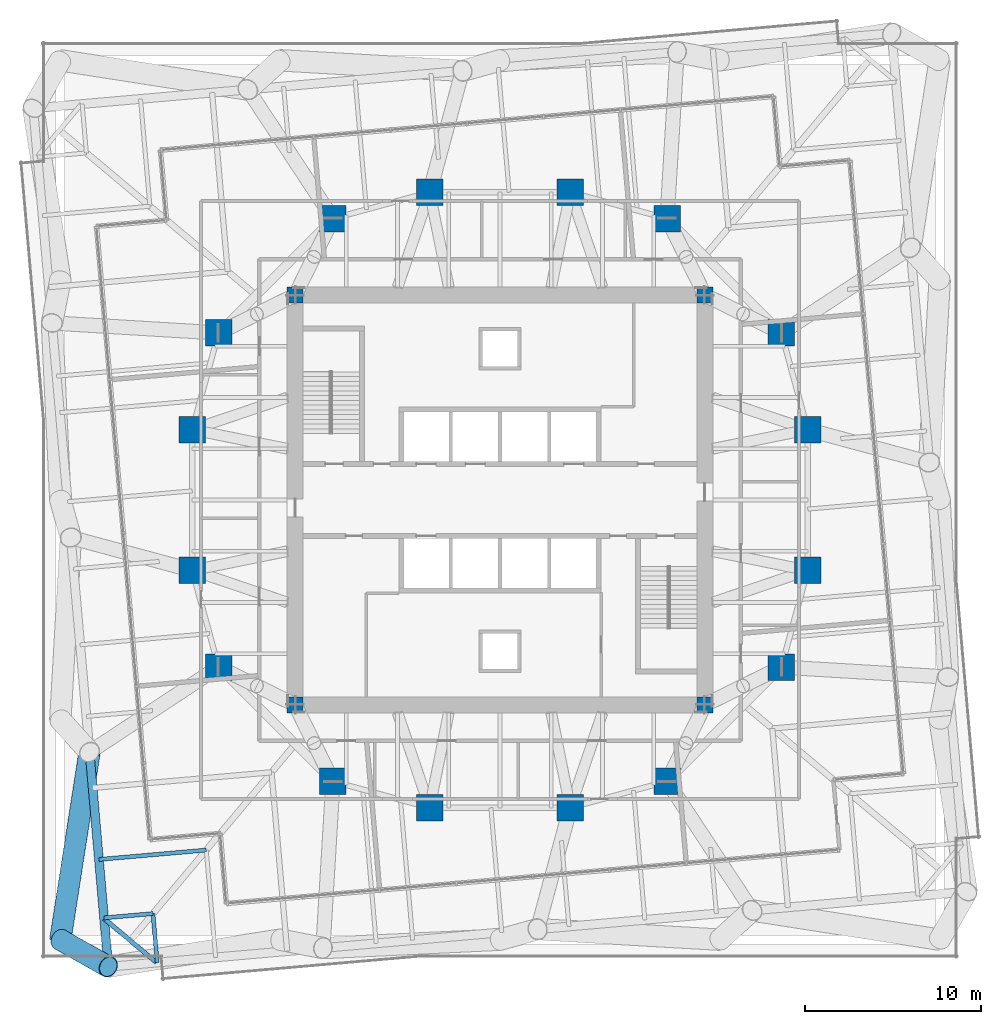
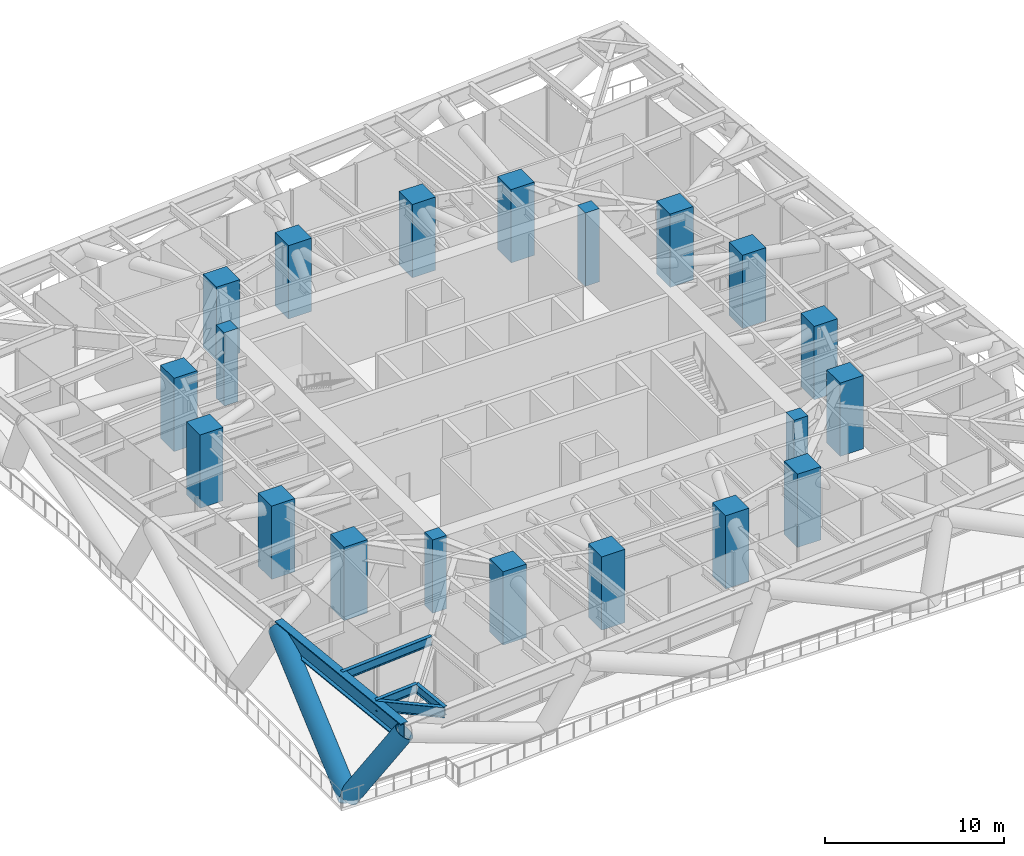
# One storey, part 1 of 14: 20 columns, 5 beams, 2 members.
"""IFC4 building model written with IfcOpenShell, lengths in metres."""

from ifc_helpers import new_model, si_unit, direction, frame, origin, origin_2d, place, context, subcontext, project, spatial, rectangle, hollow_circle, i_section, extrude, material, material_profile, profile_set, type_object, element, save


model = new_model("IFC4")

# Units and contexts
model_context = context("Model", 3, precision=1e-05, world=origin(), true_north=direction((0.0, 1.0)))
body_context = subcontext(model_context, "Body", "Model", "MODEL_VIEW")
ifc_project = project(units=[si_unit("LENGTHUNIT", "METRE"), si_unit("AREAUNIT", "SQUARE_METRE"), si_unit("VOLUMEUNIT", "CUBIC_METRE"), si_unit("PLANEANGLEUNIT", "RADIAN"), si_unit("MASSUNIT", "GRAM", prefix="KILO")], contexts=[model_context])

# Site, building, storey
site_placement = place(None, origin())
site = spatial("IfcSite", under=ifc_project, at=site_placement, CompositionType="ELEMENT")
building_placement = place(site_placement, origin())
building = spatial("IfcBuilding", under=site, at=building_placement, Name="Torsade Residences", CompositionType="ELEMENT")
storey_placement = place(building_placement, frame((0.0, 0.0, 42.199951171875)))
storey = spatial("IfcBuildingStorey", under=building, at=storey_placement, Name="L11", CompositionType="ELEMENT", Elevation=42.199951171875)

# Columns
ifc_material_1 = material(Name="Concrete 80 MPa", Category="concrete")
ifc_material_profile_1 = material_profile(ifc_material_1, rectangle(XDim=0.89990234375, YDim=0.89990234375, at=origin_2d()), Name="RC 900x900")
ifc_profile_set_1 = profile_set([ifc_material_profile_1], Name="Concrete 80 MPa")
column_type_1 = type_object("IfcColumnType", Name="CORE CORNER COLUMN RC 900x900", PredefinedType="COLUMN", material=ifc_profile_set_1)
for number, where, z_axis, x_axis, name in (
    (1, (28.35009765625, 18.35009765625, 0.0), (0.0, 0.0, 1.0), (1.0, 0.0, 0.0), "Core corner column CC1 L11"),
    (2, (51.64990234375, 18.35009765625, 0.0), (0.0, 0.0, 1.0), (1.0, 0.0, 0.0), "Core corner column CC2 L11"),
    (3, (51.64990234375, 41.64990234375, 0.0), (0.0, 0.0, 1.0), (1.0, 0.0, 0.0), "Core corner column CC3 L11"),
    (4, (28.35009765625, 41.64990234375, 0.0), (0.0, 0.0, 1.0), (1.0, 0.0, 0.0), "Core corner column CC4 L11"),
):
    element("IfcColumn", number, at=place(storey_placement, frame(where, z_axis=z_axis, x_axis=x_axis)), inside=storey, type_object=column_type_1, Name=name, PredefinedType="COLUMN", context=body_context, shape_type="SweptSolid", body=[
        extrude(rectangle(XDim=0.89990234375, YDim=0.89990234375, at=origin_2d()), origin(), (0.0, 0.0, 1.0), 5.0),
    ])
ifc_material_2 = material(Name="Concrete 80 MPa", Category="concrete")
ifc_material_profile_2 = material_profile(ifc_material_2, rectangle(XDim=1.5, YDim=1.5, at=origin_2d()), Name="RC 1500x1500")
ifc_profile_set_2 = profile_set([ifc_material_profile_2], Name="Concrete 80 MPa")
column_type_2 = type_object("IfcColumnType", Name="INNER RING COLUMN RC 1500x1500", PredefinedType="COLUMN", material=ifc_profile_set_2)
for number, where, z_axis, x_axis, name in (
    (5, (57.5, 26.0, 0.0), (0.0, 0.0, 1.0), (1.0, 0.0, 0.0), "Inner ring column IR01 L11"),
    (6, (57.5, 34.0, 0.0), (0.0, 0.0, 1.0), (1.0, 0.0, 0.0), "Inner ring column IR02 L11"),
    (7, (56.0, 39.5, 0.0), (0.0, 0.0, 1.0), (1.0, 0.0, 0.0), "Inner ring column IR03 L11"),
    (8, (49.5, 46.0, 0.0), (0.0, 0.0, 1.0), (1.0, 0.0, 0.0), "Inner ring column IR04 L11"),
    (9, (44.0, 47.5, 0.0), (0.0, 0.0, 1.0), (1.0, 0.0, 0.0), "Inner ring column IR05 L11"),
    (10, (36.0, 47.5, 0.0), (0.0, 0.0, 1.0), (1.0, 0.0, 0.0), "Inner ring column IR06 L11"),
    (11, (30.5, 46.0, 0.0), (0.0, 0.0, 1.0), (1.0, 0.0, 0.0), "Inner ring column IR07 L11"),
    (12, (24.0, 39.5, 0.0), (0.0, 0.0, 1.0), (1.0, 0.0, 0.0), "Inner ring column IR08 L11"),
    (13, (22.5, 34.0, 0.0), (0.0, 0.0, 1.0), (1.0, 0.0, 0.0), "Inner ring column IR09 L11"),
    (14, (22.5, 26.0, 0.0), (0.0, 0.0, 1.0), (1.0, 0.0, 0.0), "Inner ring column IR10 L11"),
    (15, (24.0, 20.5, 0.0), (0.0, 0.0, 1.0), (1.0, 0.0, 0.0), "Inner ring column IR11 L11"),
    (16, (30.5, 14.0, 0.0), (0.0, 0.0, 1.0), (1.0, 0.0, 0.0), "Inner ring column IR12 L11"),
    (17, (36.0, 12.5, 0.0), (0.0, 0.0, 1.0), (1.0, 0.0, 0.0), "Inner ring column IR13 L11"),
    (18, (44.0, 12.5, 0.0), (0.0, 0.0, 1.0), (1.0, 0.0, 0.0), "Inner ring column IR14 L11"),
    (19, (49.5, 14.0, 0.0), (0.0, 0.0, 1.0), (1.0, 0.0, 0.0), "Inner ring column IR15 L11"),
    (20, (56.0, 20.5, 0.0), (0.0, 0.0, 1.0), (1.0, 0.0, 0.0), "Inner ring column IR16 L11"),
):
    element("IfcColumn", number, at=place(storey_placement, frame(where, z_axis=z_axis, x_axis=x_axis)), inside=storey, type_object=column_type_2, Name=name, PredefinedType="COLUMN", context=body_context, shape_type="SweptSolid", body=[
        extrude(rectangle(XDim=1.5, YDim=1.5, at=origin_2d()), origin(), (0.0, 0.0, 1.0), 5.0),
    ])

# Beams
ifc_material_3 = material(Name="Steel grade 300", Category="steel")
ifc_material_profile_3 = material_profile(ifc_material_3, i_section(OverallWidth=0.25, OverallDepth=0.699951171875, WebThickness=0.010009765625, FlangeThickness=0.02001953125, at=origin_2d()), Name="700WB130")
ifc_profile_set_3 = profile_set([ifc_material_profile_3], Name="Steel grade 300")
beam_type_1 = type_object("IfcBeamType", Name="CORNER TRIMMER 700WB130", PredefinedType="BEAM", material=ifc_profile_set_3)
beam_1_placement = place(storey_placement, frame((20.468017578125, 3.697509765625, 4.5), z_axis=(-0.766030001697, 0.642804819911, 0.0), x_axis=(-0.642804819911, -0.766030001697, 0.0)))
element("IfcBeam", 21, at=beam_1_placement, inside=storey, type_object=beam_type_1, Name="Corner trimmer 01 L12", PredefinedType="BEAM", context=body_context, shape_type="SweptSolid", body=[
    extrude(i_section(OverallWidth=0.25, OverallDepth=0.699951171875, WebThickness=0.010009765625, FlangeThickness=0.02001953125, at=origin_2d()), origin(), (0.0, 0.0, 1.0), 3.88916015625),
])
ifc_material_4 = material(Name="Steel grade 300", Category="steel")
ifc_material_profile_4 = material_profile(ifc_material_4, i_section(OverallWidth=0.22900390625, OverallDepth=0.612060546875, WebThickness=0.011962890625, FlangeThickness=0.01953125, FilletRadius=0.013916015625, at=origin_2d()), Name="610UB125")
ifc_profile_set_4 = profile_set([ifc_material_profile_4], Name="Steel grade 300")
beam_type_2 = type_object("IfcBeamType", Name="SECONDARY BEAM 610UB125", PredefinedType="JOIST", material=ifc_profile_set_4)
beam_2_placement = place(storey_placement, frame((20.509521484375, 3.701171875, 4.5439453125), z_axis=(-0.087105111923, 0.996199126418, 0.0), x_axis=(-0.996199126418, -0.087105111923, 0.0)))
element("IfcBeam", 22, at=beam_2_placement, inside=storey, type_object=beam_type_2, Name="Floor beam FS01 L12", PredefinedType="JOIST", context=body_context, shape_type="SweptSolid", body=[
    extrude(i_section(OverallWidth=0.22900390625, OverallDepth=0.612060546875, WebThickness=0.011962890625, FlangeThickness=0.01953125, FilletRadius=0.013916015625, at=origin_2d()), origin(), (0.0, 0.0, 1.0), 2.79150390625),
])
beam_3_placement = place(storey_placement, frame((17.19482421875, 9.5595703125, 4.5439453125), z_axis=(0.996193025206, 0.087174861801, 0.0), x_axis=(-0.087174861801, 0.996193025206, 0.0)))
element("IfcBeam", 23, at=beam_3_placement, inside=storey, type_object=beam_type_2, Name="Floor beam FW11 L12", PredefinedType="JOIST", context=body_context, shape_type="SweptSolid", body=[
    extrude(i_section(OverallWidth=0.22900390625, OverallDepth=0.612060546875, WebThickness=0.011962890625, FlangeThickness=0.01953125, FilletRadius=0.013916015625, at=origin_2d()), origin(), (0.0, 0.0, 1.0), 6.125),
])
beam_4_placement = place(storey_placement, frame((17.4853515625, 6.239013671875, 4.5439453125), z_axis=(0.996199126418, 0.087105111923, 0.0), x_axis=(-0.087105111923, 0.996199126418, 0.0)))
element("IfcBeam", 24, at=beam_4_placement, inside=storey, type_object=beam_type_2, Name="Floor beam FW12 L12", PredefinedType="JOIST", context=body_context, shape_type="SweptSolid", body=[
    extrude(i_section(OverallWidth=0.22900390625, OverallDepth=0.612060546875, WebThickness=0.011962890625, FlangeThickness=0.01953125, FilletRadius=0.013916015625, at=origin_2d()), origin(), (0.0, 0.0, 1.0), 2.79150390625),
])
ifc_material_5 = material(Name="Steel grade 350", Category="steel")
ifc_material_profile_5 = material_profile(ifc_material_5, i_section(OverallWidth=0.5, OverallDepth=1.199951171875, WebThickness=0.0400390625, FlangeThickness=0.070068359375, at=origin_2d()), Name="1200x500x70x40WPG")
ifc_profile_set_5 = profile_set([ifc_material_profile_5], Name="Steel grade 350")
beam_type_3 = type_object("IfcBeamType", Name="TRANSFER TRUSS CHORD 1200x500x70x40WPG", PredefinedType="USERDEFINED", material=ifc_profile_set_5)
beam_5_placement = place(storey_placement, frame((16.660888671875, 15.661376953125, 4.25), z_axis=(0.08715335259, -0.996194907201, 0.0), x_axis=(0.996194907201, 0.08715335259, 0.0)))
element("IfcBeam", 25, at=beam_5_placement, inside=storey, type_object=beam_type_3, Name="Transfer truss TT1 top chord 16", ObjectType="TRANSFER TRUSS CHORD", PredefinedType="USERDEFINED", context=body_context, shape_type="SweptSolid", body=[
    extrude(i_section(OverallWidth=0.5, OverallDepth=1.199951171875, WebThickness=0.0400390625, FlangeThickness=0.070068359375, at=origin_2d()), origin(), (0.0, 0.0, 1.0), 12.25),
])

# Members
ifc_material_6 = material(Name="Steel grade 450", Category="steel")
ifc_material_profile_6 = material_profile(ifc_material_6, hollow_circle(Radius=0.609619140625, WallThickness=0.0400390625, at=origin_2d()), Name="1219.0x40.0CHS")
ifc_profile_set_6 = profile_set([ifc_material_profile_6], Name="Steel grade 450")
member_type_1 = type_object("IfcMemberType", Name="TRANSFER TRUSS DIAGONAL 1219.0x40.0CHS", PredefinedType="BRACE", material=ifc_profile_set_6)
member_1_placement = place(storey_placement, frame((15.0, 5.0, -0.199951171875), z_axis=(0.142302063544, 0.913448304114, 0.381264105867), x_axis=(-0.988081925895, 0.153928904758, 0.0)))
element("IfcMember", 26, at=member_1_placement, inside=storey, type_object=member_type_1, Name="Transfer truss TT1 diagonal 16", PredefinedType="BRACE", context=body_context, shape_type="SweptSolid", body=[
    extrude(hollow_circle(Radius=0.609619140625, WallThickness=0.0400390625, at=origin_2d()), origin(), (0.0, 0.0, 1.0), 11.671630859375),
])
ifc_material_7 = material(Name="Steel grade 450", Category="steel")
ifc_material_profile_7 = material_profile(ifc_material_7, hollow_circle(Radius=0.609619140625, WallThickness=0.0400390625, at=origin_2d()), Name="1219.0x40.0CHS")
ifc_profile_set_7 = profile_set([ifc_material_profile_7], Name="Steel grade 450")
member_type_2 = type_object("IfcMemberType", Name="TRANSFER TRUSS RAKING STRUT 1219.0x40.0CHS", PredefinedType="STRUT", material=ifc_profile_set_7)
member_2_placement = place(storey_placement, frame((15.0, 5.0, -0.199951171875), z_axis=(0.501302853473, -0.283306086483, 0.817577586815), x_axis=(0.492005918797, 0.87059185378, 0.0)))
element("IfcMember", 27, at=member_2_placement, inside=storey, type_object=member_type_2, Name="Transfer truss TT1 raking strut 01", PredefinedType="STRUT", context=body_context, shape_type="SweptSolid", body=[
    extrude(hollow_circle(Radius=0.609619140625, WallThickness=0.0400390625, at=origin_2d()), origin(), (0.0, 0.0, 1.0), 5.44287109375),
])

save(model, "model.ifc")
